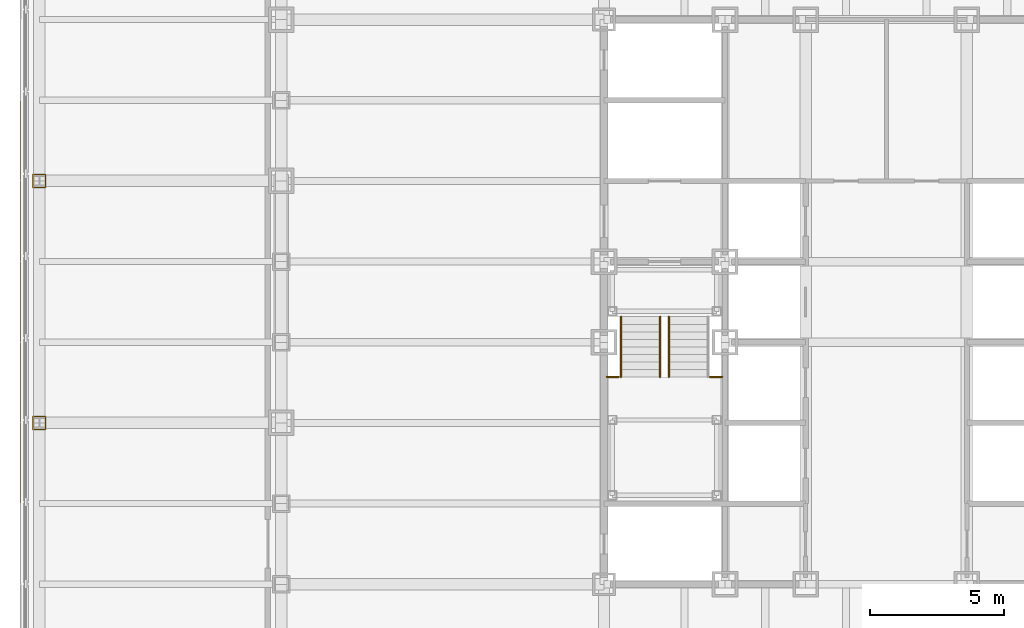
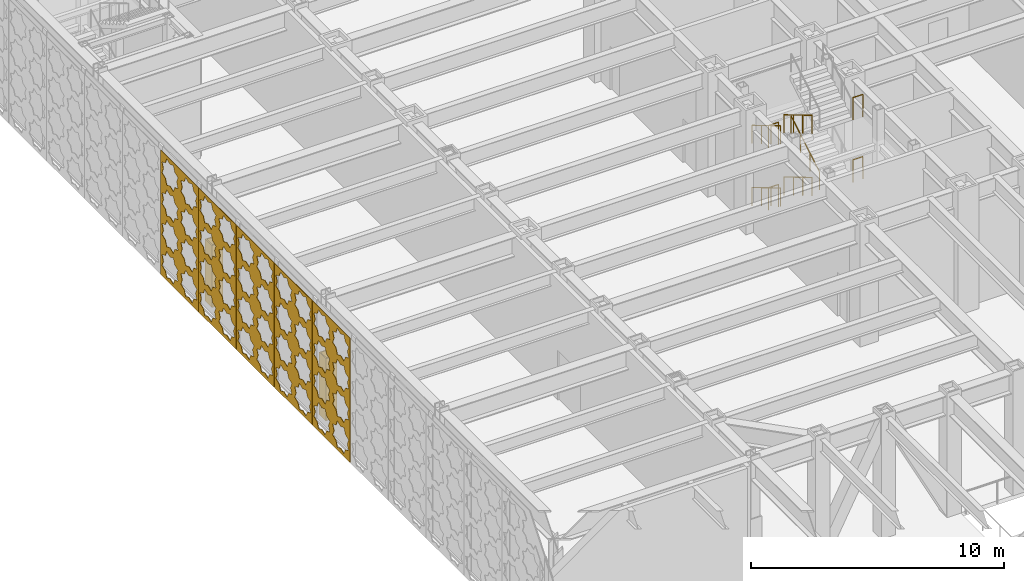
# One storey, part 26 of 32: 9 railings, 5 shading devices, 2 coverings.
"""IFC4 building model written with IfcOpenShell, lengths in metres."""

from ifc_helpers import new_model, si_unit, direction, frame, origin, origin_2d, place, context, subcontext, project, spatial, polyline, circle, outline, extrude, material, layer, layer_set, type_object, element, save


model = new_model("IFC4")

# Units and contexts
model_context = context("Model", 3, precision=1e-05, world=origin(), true_north=direction((0.0, 1.0)))
body_context = subcontext(model_context, "Body", "Model", "MODEL_VIEW")
ifc_project = project(units=[si_unit("LENGTHUNIT", "METRE"), si_unit("AREAUNIT", "SQUARE_METRE"), si_unit("VOLUMEUNIT", "CUBIC_METRE"), si_unit("PLANEANGLEUNIT", "RADIAN"), si_unit("MASSUNIT", "GRAM", prefix="KILO")], contexts=[model_context])

# Site, building, storey
site_placement = place(None, origin())
site = spatial("IfcSite", under=ifc_project, at=site_placement, CompositionType="ELEMENT")
building_placement = place(site_placement, origin())
building = spatial("IfcBuilding", under=site, at=building_placement, Name="Chuquiago Exchange Tower", CompositionType="ELEMENT")
storey_placement = place(building_placement, frame((0.0, 0.0, 13.5)))
storey = spatial("IfcBuildingStorey", under=building, at=storey_placement, Name="L02", CompositionType="ELEMENT", Elevation=13.5)

# Coverings
ifc_material_1 = material(Name="Pale metal sheet casing on rails", Category="aluminium")
ifc_layer_1 = layer(ifc_material_1, 0.050048828125)
ifc_layer_set_1 = layer_set([ifc_layer_1], Name="CS1 column casing 50")
covering_type = type_object("IfcCoveringType", Name="CS1 column casing 50", PredefinedType="CLADDING", material=ifc_layer_set_1)
covering_1_placement = place(storey_placement, origin())
element("IfcCovering", 1, at=covering_1_placement, inside=storey, type_object=covering_type, Name="Column casing L02", PredefinedType="CLADDING", context=body_context, shape_type="SweptSolid", body=[
    extrude(outline(polyline([(-9.255615234375, 17.73291015625), (-8.744384765625, 17.73291015625), (-8.744384765625, 18.26708984375), (-9.255615234375, 18.26708984375), (-9.255615234375, 17.73291015625)]), holes=[polyline([(-9.205810546875, 17.78271484375), (-9.205810546875, 18.21728515625), (-8.794189453125, 18.21728515625), (-8.794189453125, 17.78271484375), (-9.205810546875, 17.78271484375)])]), origin(), (0.0, 0.0, 1.0), 3.0),
])
covering_2_placement = place(storey_placement, origin())
element("IfcCovering", 2, at=covering_2_placement, inside=storey, type_object=covering_type, Name="Column casing L02", PredefinedType="CLADDING", context=body_context, shape_type="SweptSolid", body=[
    extrude(outline(polyline([(-9.255615234375, 26.73291015625), (-8.744384765625, 26.73291015625), (-8.744384765625, 27.26708984375), (-9.255615234375, 27.26708984375), (-9.255615234375, 26.73291015625)]), holes=[polyline([(-9.205810546875, 26.78271484375), (-9.205810546875, 27.21728515625), (-8.794189453125, 27.21728515625), (-8.794189453125, 26.78271484375), (-9.205810546875, 26.78271484375)])]), origin(), (0.0, 0.0, 1.0), 3.0),
])

# Railings
ifc_material_2 = material(Name="Pale metal guard with safety glass infill", Category="glass")
railing_type_1 = type_object("IfcRailingType", Name="GR1 guard 1100", PredefinedType="GUARDRAIL", material=ifc_material_2)
for number, where, name in (
    (3, (12.10009765625, 19.7099609375, 1.5), "Guard ST1 L02 landing 2"),
    (4, (15.945068359375, 19.7099609375, 1.5), "Guard ST1 L02 landing 2"),
    (5, (12.10009765625, 19.7099609375, 4.5), "Guard ST1 L02 landing 4"),
    (6, (15.945068359375, 19.7099609375, 4.5), "Guard ST1 L02 landing 4"),
):
    element("IfcRailing", number, at=place(storey_placement, frame(where)), inside=storey, type_object=railing_type_1, Name=name, PredefinedType="GUARDRAIL", context=body_context, shape_type="SweptSolid", body=[
        extrude(circle(Radius=0.02392578125, at=origin_2d()), frame((0.0, 0.0, 1.076171875), z_axis=(1.0, 0.0, 0.0), x_axis=(0.0, 1.0, 0.0)), (0.0, 0.0, 1.0), 0.454833984375),
        extrude(circle(Radius=0.02099609375, at=origin_2d()), origin(), (0.0, 0.0, 1.0), 1.052001953125),
        extrude(circle(Radius=0.02099609375, at=origin_2d()), frame((0.454833984375, 0.0, 0.0)), (0.0, 0.0, 1.0), 1.052001953125),
    ])
ifc_material_3 = material(Name="Pale metal handrail", Category="steel")
railing_type_2 = type_object("IfcRailingType", Name="HR1 handrail 900", PredefinedType="HANDRAIL", material=ifc_material_3)
for number, where, name in (
    (7, (12.635009765625, 21.949951171875, 0.166748046875), "Handrail ST1 L02 flight 1"),
    (8, (14.0849609375, 21.949951171875, 0.166748046875), "Handrail ST1 L02 flight 1"),
):
    element("IfcRailing", number, at=place(storey_placement, frame(where)), inside=storey, type_object=railing_type_2, Name=name, PredefinedType="HANDRAIL", context=body_context, shape_type="SweptSolid", body=[
        extrude(circle(Radius=0.02392578125, at=origin_2d()), frame((0.0, 0.0, 0.8759765625), z_axis=(0.0, -0.859305625298, 0.511462454469), x_axis=(1.0, 0.0, 0.0)), (0.0, 0.0, 1.0), 2.606689453125),
        extrude(circle(Radius=0.02099609375, at=origin_2d()), origin(), (0.0, 0.0, 1.0), 0.851806640625),
        extrude(circle(Radius=0.02099609375, at=origin_2d()), frame((0.0, -0.74658203125, 0.4443359375)), (0.0, 0.0, 1.0), 0.851806640625),
        extrude(circle(Radius=0.02099609375, at=origin_2d()), frame((0.0, -1.493408203125, 0.888916015625)), (0.0, 0.0, 1.0), 0.851806640625),
        extrude(circle(Radius=0.02099609375, at=origin_2d()), frame((0.0, -2.239990234375, 1.333251953125)), (0.0, 0.0, 1.0), 0.851806640625),
    ])
railing_placement = place(storey_placement, frame((14.4150390625, 19.7099609375, 1.666748046875)))
element("IfcRailing", 9, at=railing_placement, inside=storey, type_object=railing_type_2, Name="Handrail ST1 L02 flight 2", PredefinedType="HANDRAIL", context=body_context, shape_type="SweptSolid", body=[
    extrude(circle(Radius=0.02392578125, at=origin_2d()), frame((0.0, 0.0, 0.8759765625), z_axis=(0.0, 0.859305625298, 0.511462454469), x_axis=(-1.0, 0.0, 0.0)), (0.0, 0.0, 1.0), 2.606689453125),
    extrude(circle(Radius=0.02099609375, at=origin_2d()), origin(), (0.0, 0.0, 1.0), 0.851806640625),
    extrude(circle(Radius=0.02099609375, at=origin_2d()), frame((0.0, 0.74658203125, 0.4443359375)), (0.0, 0.0, 1.0), 0.851806640625),
    extrude(circle(Radius=0.02099609375, at=origin_2d()), frame((0.0, 1.493408203125, 0.888916015625)), (0.0, 0.0, 1.0), 0.851806640625),
    extrude(circle(Radius=0.02099609375, at=origin_2d()), frame((0.0, 2.239990234375, 1.333251953125)), (0.0, 0.0, 1.0), 0.851806640625),
])
for number, where, name in (
    (10, (12.635009765625, 21.949951171875, 3.166748046875), "Handrail ST1 L02 flight 3"),
    (11, (14.0849609375, 21.949951171875, 3.166748046875), "Handrail ST1 L02 flight 3"),
):
    element("IfcRailing", number, at=place(storey_placement, frame(where)), inside=storey, type_object=railing_type_2, Name=name, PredefinedType="HANDRAIL", context=body_context, shape_type="SweptSolid", body=[
        extrude(circle(Radius=0.02392578125, at=origin_2d()), frame((0.0, 0.0, 0.8759765625), z_axis=(0.0, -0.859305625298, 0.511462454469), x_axis=(1.0, 0.0, 0.0)), (0.0, 0.0, 1.0), 2.606689453125),
        extrude(circle(Radius=0.02099609375, at=origin_2d()), origin(), (0.0, 0.0, 1.0), 0.851806640625),
        extrude(circle(Radius=0.02099609375, at=origin_2d()), frame((0.0, -0.74658203125, 0.4443359375)), (0.0, 0.0, 1.0), 0.851806640625),
        extrude(circle(Radius=0.02099609375, at=origin_2d()), frame((0.0, -1.493408203125, 0.888916015625)), (0.0, 0.0, 1.0), 0.851806640625),
        extrude(circle(Radius=0.02099609375, at=origin_2d()), frame((0.0, -2.239990234375, 1.333251953125)), (0.0, 0.0, 1.0), 0.851806640625),
    ])

# Shading devices
ifc_material_4 = material(Name="Pale metal, perforated in an eight-point star pattern", Category="aluminium")
ifc_layer_2 = layer(ifc_material_4, 0.02001953125)
ifc_layer_set_2 = layer_set([ifc_layer_2], Name="SC1 mashrabiya screen 20")
shading_device_type = type_object("IfcShadingDeviceType", Name="SC1 mashrabiya screen 20", PredefinedType="SHUTTER", material=ifc_layer_set_2)
shading_device_1_placement = place(storey_placement, frame((-9.699951171875, 17.989990234375, -0.199951171875), z_axis=(0.0, 0.0, 1.0), x_axis=(0.0, -1.0, 0.0)))
element("IfcShadingDevice", 12, at=shading_device_1_placement, inside=storey, type_object=shading_device_type, Name="Mashrabiya screen L02 W 12", PredefinedType="SHUTTER", context=body_context, shape_type="SweptSolid", body=[
    extrude(outline(polyline([(0.0, 0.0), (2.97998046875, 0.0), (2.97998046875, 6.0), (0.0, 6.0), (0.0, 0.0)]), holes=[polyline([(1.26953125, 0.764892578125), (1.378173828125, 1.02734375), (1.115966796875, 1.135986328125), (1.00732421875, 1.398193359375), (0.7451171875, 1.28955078125), (0.482666015625, 1.398193359375), (0.3740234375, 1.135986328125), (0.11181640625, 1.02734375), (0.220458984375, 0.764892578125), (0.11181640625, 0.502685546875), (0.3740234375, 0.39404296875), (0.482666015625, 0.1318359375), (0.7451171875, 0.240234375), (1.00732421875, 0.1318359375), (1.115966796875, 0.39404296875), (1.378173828125, 0.502685546875), (1.26953125, 0.764892578125)]), polyline([(2.759521484375, 0.764892578125), (2.8681640625, 1.02734375), (2.60595703125, 1.135986328125), (2.497314453125, 1.398193359375), (2.235107421875, 1.28955078125), (1.97265625, 1.398193359375), (1.864013671875, 1.135986328125), (1.601806640625, 1.02734375), (1.71044921875, 0.764892578125), (1.601806640625, 0.502685546875), (1.864013671875, 0.39404296875), (1.97265625, 0.1318359375), (2.235107421875, 0.240234375), (2.497314453125, 0.1318359375), (2.60595703125, 0.39404296875), (2.8681640625, 0.502685546875), (2.759521484375, 0.764892578125)]), polyline([(1.26953125, 2.2548828125), (1.378173828125, 2.517333984375), (1.115966796875, 2.6259765625), (1.00732421875, 2.88818359375), (0.7451171875, 2.779541015625), (0.482666015625, 2.88818359375), (0.3740234375, 2.6259765625), (0.11181640625, 2.517333984375), (0.220458984375, 2.2548828125), (0.11181640625, 1.99267578125), (0.3740234375, 1.884033203125), (0.482666015625, 1.621826171875), (0.7451171875, 1.73046875), (1.00732421875, 1.621826171875), (1.115966796875, 1.884033203125), (1.378173828125, 1.99267578125), (1.26953125, 2.2548828125)]), polyline([(2.759521484375, 2.2548828125), (2.8681640625, 2.517333984375), (2.60595703125, 2.6259765625), (2.497314453125, 2.88818359375), (2.235107421875, 2.779541015625), (1.97265625, 2.88818359375), (1.864013671875, 2.6259765625), (1.601806640625, 2.517333984375), (1.71044921875, 2.2548828125), (1.601806640625, 1.99267578125), (1.864013671875, 1.884033203125), (1.97265625, 1.621826171875), (2.235107421875, 1.73046875), (2.497314453125, 1.621826171875), (2.60595703125, 1.884033203125), (2.8681640625, 1.99267578125), (2.759521484375, 2.2548828125)]), polyline([(1.26953125, 3.744873046875), (1.378173828125, 4.00732421875), (1.115966796875, 4.115966796875), (1.00732421875, 4.378173828125), (0.7451171875, 4.26953125), (0.482666015625, 4.378173828125), (0.3740234375, 4.115966796875), (0.11181640625, 4.00732421875), (0.220458984375, 3.744873046875), (0.11181640625, 3.482666015625), (0.3740234375, 3.3740234375), (0.482666015625, 3.11181640625), (0.7451171875, 3.220458984375), (1.00732421875, 3.11181640625), (1.115966796875, 3.3740234375), (1.378173828125, 3.482666015625), (1.26953125, 3.744873046875)]), polyline([(2.759521484375, 3.744873046875), (2.8681640625, 4.00732421875), (2.60595703125, 4.115966796875), (2.497314453125, 4.378173828125), (2.235107421875, 4.26953125), (1.97265625, 4.378173828125), (1.864013671875, 4.115966796875), (1.601806640625, 4.00732421875), (1.71044921875, 3.744873046875), (1.601806640625, 3.482666015625), (1.864013671875, 3.3740234375), (1.97265625, 3.11181640625), (2.235107421875, 3.220458984375), (2.497314453125, 3.11181640625), (2.60595703125, 3.3740234375), (2.8681640625, 3.482666015625), (2.759521484375, 3.744873046875)]), polyline([(1.26953125, 5.23486328125), (1.378173828125, 5.497314453125), (1.115966796875, 5.60595703125), (1.00732421875, 5.8681640625), (0.7451171875, 5.759521484375), (0.482666015625, 5.8681640625), (0.3740234375, 5.60595703125), (0.11181640625, 5.497314453125), (0.220458984375, 5.23486328125), (0.11181640625, 4.97265625), (0.3740234375, 4.864013671875), (0.482666015625, 4.601806640625), (0.7451171875, 4.71044921875), (1.00732421875, 4.601806640625), (1.115966796875, 4.864013671875), (1.378173828125, 4.97265625), (1.26953125, 5.23486328125)]), polyline([(2.759521484375, 5.23486328125), (2.8681640625, 5.497314453125), (2.60595703125, 5.60595703125), (2.497314453125, 5.8681640625), (2.235107421875, 5.759521484375), (1.97265625, 5.8681640625), (1.864013671875, 5.60595703125), (1.601806640625, 5.497314453125), (1.71044921875, 5.23486328125), (1.601806640625, 4.97265625), (1.864013671875, 4.864013671875), (1.97265625, 4.601806640625), (2.235107421875, 4.71044921875), (2.497314453125, 4.601806640625), (2.60595703125, 4.864013671875), (2.8681640625, 4.97265625), (2.759521484375, 5.23486328125)])]), frame((0.0, 0.0, 0.0), z_axis=(0.0, -1.0, 0.0), x_axis=(1.0, 0.0, 0.0)), (0.0, 0.0, 1.0), 0.02001953125),
])
shading_device_2_placement = place(storey_placement, frame((-9.699951171875, 20.989990234375, -0.199951171875), z_axis=(0.0, 0.0, 1.0), x_axis=(0.0, -1.0, 0.0)))
element("IfcShadingDevice", 13, at=shading_device_2_placement, inside=storey, type_object=shading_device_type, Name="Mashrabiya screen L02 W 13", PredefinedType="SHUTTER", context=body_context, shape_type="SweptSolid", body=[
    extrude(outline(polyline([(0.0, 0.0), (2.97998046875, 0.0), (2.97998046875, 6.0), (0.0, 6.0), (0.0, 0.0)]), holes=[polyline([(1.26953125, 0.764892578125), (1.378173828125, 1.02734375), (1.115966796875, 1.135986328125), (1.00732421875, 1.398193359375), (0.7451171875, 1.28955078125), (0.482666015625, 1.398193359375), (0.3740234375, 1.135986328125), (0.11181640625, 1.02734375), (0.220458984375, 0.764892578125), (0.11181640625, 0.502685546875), (0.3740234375, 0.39404296875), (0.482666015625, 0.1318359375), (0.7451171875, 0.240234375), (1.00732421875, 0.1318359375), (1.115966796875, 0.39404296875), (1.378173828125, 0.502685546875), (1.26953125, 0.764892578125)]), polyline([(2.759521484375, 0.764892578125), (2.8681640625, 1.02734375), (2.60595703125, 1.135986328125), (2.497314453125, 1.398193359375), (2.235107421875, 1.28955078125), (1.97265625, 1.398193359375), (1.864013671875, 1.135986328125), (1.601806640625, 1.02734375), (1.71044921875, 0.764892578125), (1.601806640625, 0.502685546875), (1.864013671875, 0.39404296875), (1.97265625, 0.1318359375), (2.235107421875, 0.240234375), (2.497314453125, 0.1318359375), (2.60595703125, 0.39404296875), (2.8681640625, 0.502685546875), (2.759521484375, 0.764892578125)]), polyline([(1.26953125, 2.2548828125), (1.378173828125, 2.517333984375), (1.115966796875, 2.6259765625), (1.00732421875, 2.88818359375), (0.7451171875, 2.779541015625), (0.482666015625, 2.88818359375), (0.3740234375, 2.6259765625), (0.11181640625, 2.517333984375), (0.220458984375, 2.2548828125), (0.11181640625, 1.99267578125), (0.3740234375, 1.884033203125), (0.482666015625, 1.621826171875), (0.7451171875, 1.73046875), (1.00732421875, 1.621826171875), (1.115966796875, 1.884033203125), (1.378173828125, 1.99267578125), (1.26953125, 2.2548828125)]), polyline([(2.759521484375, 2.2548828125), (2.8681640625, 2.517333984375), (2.60595703125, 2.6259765625), (2.497314453125, 2.88818359375), (2.235107421875, 2.779541015625), (1.97265625, 2.88818359375), (1.864013671875, 2.6259765625), (1.601806640625, 2.517333984375), (1.71044921875, 2.2548828125), (1.601806640625, 1.99267578125), (1.864013671875, 1.884033203125), (1.97265625, 1.621826171875), (2.235107421875, 1.73046875), (2.497314453125, 1.621826171875), (2.60595703125, 1.884033203125), (2.8681640625, 1.99267578125), (2.759521484375, 2.2548828125)]), polyline([(1.26953125, 3.744873046875), (1.378173828125, 4.00732421875), (1.115966796875, 4.115966796875), (1.00732421875, 4.378173828125), (0.7451171875, 4.26953125), (0.482666015625, 4.378173828125), (0.3740234375, 4.115966796875), (0.11181640625, 4.00732421875), (0.220458984375, 3.744873046875), (0.11181640625, 3.482666015625), (0.3740234375, 3.3740234375), (0.482666015625, 3.11181640625), (0.7451171875, 3.220458984375), (1.00732421875, 3.11181640625), (1.115966796875, 3.3740234375), (1.378173828125, 3.482666015625), (1.26953125, 3.744873046875)]), polyline([(2.759521484375, 3.744873046875), (2.8681640625, 4.00732421875), (2.60595703125, 4.115966796875), (2.497314453125, 4.378173828125), (2.235107421875, 4.26953125), (1.97265625, 4.378173828125), (1.864013671875, 4.115966796875), (1.601806640625, 4.00732421875), (1.71044921875, 3.744873046875), (1.601806640625, 3.482666015625), (1.864013671875, 3.3740234375), (1.97265625, 3.11181640625), (2.235107421875, 3.220458984375), (2.497314453125, 3.11181640625), (2.60595703125, 3.3740234375), (2.8681640625, 3.482666015625), (2.759521484375, 3.744873046875)]), polyline([(1.26953125, 5.23486328125), (1.378173828125, 5.497314453125), (1.115966796875, 5.60595703125), (1.00732421875, 5.8681640625), (0.7451171875, 5.759521484375), (0.482666015625, 5.8681640625), (0.3740234375, 5.60595703125), (0.11181640625, 5.497314453125), (0.220458984375, 5.23486328125), (0.11181640625, 4.97265625), (0.3740234375, 4.864013671875), (0.482666015625, 4.601806640625), (0.7451171875, 4.71044921875), (1.00732421875, 4.601806640625), (1.115966796875, 4.864013671875), (1.378173828125, 4.97265625), (1.26953125, 5.23486328125)]), polyline([(2.759521484375, 5.23486328125), (2.8681640625, 5.497314453125), (2.60595703125, 5.60595703125), (2.497314453125, 5.8681640625), (2.235107421875, 5.759521484375), (1.97265625, 5.8681640625), (1.864013671875, 5.60595703125), (1.601806640625, 5.497314453125), (1.71044921875, 5.23486328125), (1.601806640625, 4.97265625), (1.864013671875, 4.864013671875), (1.97265625, 4.601806640625), (2.235107421875, 4.71044921875), (2.497314453125, 4.601806640625), (2.60595703125, 4.864013671875), (2.8681640625, 4.97265625), (2.759521484375, 5.23486328125)])]), frame((0.0, 0.0, 0.0), z_axis=(0.0, -1.0, 0.0), x_axis=(1.0, 0.0, 0.0)), (0.0, 0.0, 1.0), 0.02001953125),
])
shading_device_3_placement = place(storey_placement, frame((-9.699951171875, 23.989990234375, -0.199951171875), z_axis=(0.0, 0.0, 1.0), x_axis=(0.0, -1.0, 0.0)))
element("IfcShadingDevice", 14, at=shading_device_3_placement, inside=storey, type_object=shading_device_type, Name="Mashrabiya screen L02 W 14", PredefinedType="SHUTTER", context=body_context, shape_type="SweptSolid", body=[
    extrude(outline(polyline([(0.0, 0.0), (2.97998046875, 0.0), (2.97998046875, 6.0), (0.0, 6.0), (0.0, 0.0)]), holes=[polyline([(1.26953125, 0.764892578125), (1.378173828125, 1.02734375), (1.115966796875, 1.135986328125), (1.00732421875, 1.398193359375), (0.7451171875, 1.28955078125), (0.482666015625, 1.398193359375), (0.3740234375, 1.135986328125), (0.11181640625, 1.02734375), (0.220458984375, 0.764892578125), (0.11181640625, 0.502685546875), (0.3740234375, 0.39404296875), (0.482666015625, 0.1318359375), (0.7451171875, 0.240234375), (1.00732421875, 0.1318359375), (1.115966796875, 0.39404296875), (1.378173828125, 0.502685546875), (1.26953125, 0.764892578125)]), polyline([(2.759521484375, 0.764892578125), (2.8681640625, 1.02734375), (2.60595703125, 1.135986328125), (2.497314453125, 1.398193359375), (2.235107421875, 1.28955078125), (1.97265625, 1.398193359375), (1.864013671875, 1.135986328125), (1.601806640625, 1.02734375), (1.71044921875, 0.764892578125), (1.601806640625, 0.502685546875), (1.864013671875, 0.39404296875), (1.97265625, 0.1318359375), (2.235107421875, 0.240234375), (2.497314453125, 0.1318359375), (2.60595703125, 0.39404296875), (2.8681640625, 0.502685546875), (2.759521484375, 0.764892578125)]), polyline([(1.26953125, 2.2548828125), (1.378173828125, 2.517333984375), (1.115966796875, 2.6259765625), (1.00732421875, 2.88818359375), (0.7451171875, 2.779541015625), (0.482666015625, 2.88818359375), (0.3740234375, 2.6259765625), (0.11181640625, 2.517333984375), (0.220458984375, 2.2548828125), (0.11181640625, 1.99267578125), (0.3740234375, 1.884033203125), (0.482666015625, 1.621826171875), (0.7451171875, 1.73046875), (1.00732421875, 1.621826171875), (1.115966796875, 1.884033203125), (1.378173828125, 1.99267578125), (1.26953125, 2.2548828125)]), polyline([(2.759521484375, 2.2548828125), (2.8681640625, 2.517333984375), (2.60595703125, 2.6259765625), (2.497314453125, 2.88818359375), (2.235107421875, 2.779541015625), (1.97265625, 2.88818359375), (1.864013671875, 2.6259765625), (1.601806640625, 2.517333984375), (1.71044921875, 2.2548828125), (1.601806640625, 1.99267578125), (1.864013671875, 1.884033203125), (1.97265625, 1.621826171875), (2.235107421875, 1.73046875), (2.497314453125, 1.621826171875), (2.60595703125, 1.884033203125), (2.8681640625, 1.99267578125), (2.759521484375, 2.2548828125)]), polyline([(1.26953125, 3.744873046875), (1.378173828125, 4.00732421875), (1.115966796875, 4.115966796875), (1.00732421875, 4.378173828125), (0.7451171875, 4.26953125), (0.482666015625, 4.378173828125), (0.3740234375, 4.115966796875), (0.11181640625, 4.00732421875), (0.220458984375, 3.744873046875), (0.11181640625, 3.482666015625), (0.3740234375, 3.3740234375), (0.482666015625, 3.11181640625), (0.7451171875, 3.220458984375), (1.00732421875, 3.11181640625), (1.115966796875, 3.3740234375), (1.378173828125, 3.482666015625), (1.26953125, 3.744873046875)]), polyline([(2.759521484375, 3.744873046875), (2.8681640625, 4.00732421875), (2.60595703125, 4.115966796875), (2.497314453125, 4.378173828125), (2.235107421875, 4.26953125), (1.97265625, 4.378173828125), (1.864013671875, 4.115966796875), (1.601806640625, 4.00732421875), (1.71044921875, 3.744873046875), (1.601806640625, 3.482666015625), (1.864013671875, 3.3740234375), (1.97265625, 3.11181640625), (2.235107421875, 3.220458984375), (2.497314453125, 3.11181640625), (2.60595703125, 3.3740234375), (2.8681640625, 3.482666015625), (2.759521484375, 3.744873046875)]), polyline([(1.26953125, 5.23486328125), (1.378173828125, 5.497314453125), (1.115966796875, 5.60595703125), (1.00732421875, 5.8681640625), (0.7451171875, 5.759521484375), (0.482666015625, 5.8681640625), (0.3740234375, 5.60595703125), (0.11181640625, 5.497314453125), (0.220458984375, 5.23486328125), (0.11181640625, 4.97265625), (0.3740234375, 4.864013671875), (0.482666015625, 4.601806640625), (0.7451171875, 4.71044921875), (1.00732421875, 4.601806640625), (1.115966796875, 4.864013671875), (1.378173828125, 4.97265625), (1.26953125, 5.23486328125)]), polyline([(2.759521484375, 5.23486328125), (2.8681640625, 5.497314453125), (2.60595703125, 5.60595703125), (2.497314453125, 5.8681640625), (2.235107421875, 5.759521484375), (1.97265625, 5.8681640625), (1.864013671875, 5.60595703125), (1.601806640625, 5.497314453125), (1.71044921875, 5.23486328125), (1.601806640625, 4.97265625), (1.864013671875, 4.864013671875), (1.97265625, 4.601806640625), (2.235107421875, 4.71044921875), (2.497314453125, 4.601806640625), (2.60595703125, 4.864013671875), (2.8681640625, 4.97265625), (2.759521484375, 5.23486328125)])]), frame((0.0, 0.0, 0.0), z_axis=(0.0, -1.0, 0.0), x_axis=(1.0, 0.0, 0.0)), (0.0, 0.0, 1.0), 0.02001953125),
])
shading_device_4_placement = place(storey_placement, frame((-9.699951171875, 26.989990234375, -0.199951171875), z_axis=(0.0, 0.0, 1.0), x_axis=(0.0, -1.0, 0.0)))
element("IfcShadingDevice", 15, at=shading_device_4_placement, inside=storey, type_object=shading_device_type, Name="Mashrabiya screen L02 W 15", PredefinedType="SHUTTER", context=body_context, shape_type="SweptSolid", body=[
    extrude(outline(polyline([(0.0, 0.0), (2.97998046875, 0.0), (2.97998046875, 6.0), (0.0, 6.0), (0.0, 0.0)]), holes=[polyline([(1.26953125, 0.764892578125), (1.378173828125, 1.02734375), (1.115966796875, 1.135986328125), (1.00732421875, 1.398193359375), (0.7451171875, 1.28955078125), (0.482666015625, 1.398193359375), (0.3740234375, 1.135986328125), (0.11181640625, 1.02734375), (0.220458984375, 0.764892578125), (0.11181640625, 0.502685546875), (0.3740234375, 0.39404296875), (0.482666015625, 0.1318359375), (0.7451171875, 0.240234375), (1.00732421875, 0.1318359375), (1.115966796875, 0.39404296875), (1.378173828125, 0.502685546875), (1.26953125, 0.764892578125)]), polyline([(2.759521484375, 0.764892578125), (2.8681640625, 1.02734375), (2.60595703125, 1.135986328125), (2.497314453125, 1.398193359375), (2.235107421875, 1.28955078125), (1.97265625, 1.398193359375), (1.864013671875, 1.135986328125), (1.601806640625, 1.02734375), (1.71044921875, 0.764892578125), (1.601806640625, 0.502685546875), (1.864013671875, 0.39404296875), (1.97265625, 0.1318359375), (2.235107421875, 0.240234375), (2.497314453125, 0.1318359375), (2.60595703125, 0.39404296875), (2.8681640625, 0.502685546875), (2.759521484375, 0.764892578125)]), polyline([(1.26953125, 2.2548828125), (1.378173828125, 2.517333984375), (1.115966796875, 2.6259765625), (1.00732421875, 2.88818359375), (0.7451171875, 2.779541015625), (0.482666015625, 2.88818359375), (0.3740234375, 2.6259765625), (0.11181640625, 2.517333984375), (0.220458984375, 2.2548828125), (0.11181640625, 1.99267578125), (0.3740234375, 1.884033203125), (0.482666015625, 1.621826171875), (0.7451171875, 1.73046875), (1.00732421875, 1.621826171875), (1.115966796875, 1.884033203125), (1.378173828125, 1.99267578125), (1.26953125, 2.2548828125)]), polyline([(2.759521484375, 2.2548828125), (2.8681640625, 2.517333984375), (2.60595703125, 2.6259765625), (2.497314453125, 2.88818359375), (2.235107421875, 2.779541015625), (1.97265625, 2.88818359375), (1.864013671875, 2.6259765625), (1.601806640625, 2.517333984375), (1.71044921875, 2.2548828125), (1.601806640625, 1.99267578125), (1.864013671875, 1.884033203125), (1.97265625, 1.621826171875), (2.235107421875, 1.73046875), (2.497314453125, 1.621826171875), (2.60595703125, 1.884033203125), (2.8681640625, 1.99267578125), (2.759521484375, 2.2548828125)]), polyline([(1.26953125, 3.744873046875), (1.378173828125, 4.00732421875), (1.115966796875, 4.115966796875), (1.00732421875, 4.378173828125), (0.7451171875, 4.26953125), (0.482666015625, 4.378173828125), (0.3740234375, 4.115966796875), (0.11181640625, 4.00732421875), (0.220458984375, 3.744873046875), (0.11181640625, 3.482666015625), (0.3740234375, 3.3740234375), (0.482666015625, 3.11181640625), (0.7451171875, 3.220458984375), (1.00732421875, 3.11181640625), (1.115966796875, 3.3740234375), (1.378173828125, 3.482666015625), (1.26953125, 3.744873046875)]), polyline([(2.759521484375, 3.744873046875), (2.8681640625, 4.00732421875), (2.60595703125, 4.115966796875), (2.497314453125, 4.378173828125), (2.235107421875, 4.26953125), (1.97265625, 4.378173828125), (1.864013671875, 4.115966796875), (1.601806640625, 4.00732421875), (1.71044921875, 3.744873046875), (1.601806640625, 3.482666015625), (1.864013671875, 3.3740234375), (1.97265625, 3.11181640625), (2.235107421875, 3.220458984375), (2.497314453125, 3.11181640625), (2.60595703125, 3.3740234375), (2.8681640625, 3.482666015625), (2.759521484375, 3.744873046875)]), polyline([(1.26953125, 5.23486328125), (1.378173828125, 5.497314453125), (1.115966796875, 5.60595703125), (1.00732421875, 5.8681640625), (0.7451171875, 5.759521484375), (0.482666015625, 5.8681640625), (0.3740234375, 5.60595703125), (0.11181640625, 5.497314453125), (0.220458984375, 5.23486328125), (0.11181640625, 4.97265625), (0.3740234375, 4.864013671875), (0.482666015625, 4.601806640625), (0.7451171875, 4.71044921875), (1.00732421875, 4.601806640625), (1.115966796875, 4.864013671875), (1.378173828125, 4.97265625), (1.26953125, 5.23486328125)]), polyline([(2.759521484375, 5.23486328125), (2.8681640625, 5.497314453125), (2.60595703125, 5.60595703125), (2.497314453125, 5.8681640625), (2.235107421875, 5.759521484375), (1.97265625, 5.8681640625), (1.864013671875, 5.60595703125), (1.601806640625, 5.497314453125), (1.71044921875, 5.23486328125), (1.601806640625, 4.97265625), (1.864013671875, 4.864013671875), (1.97265625, 4.601806640625), (2.235107421875, 4.71044921875), (2.497314453125, 4.601806640625), (2.60595703125, 4.864013671875), (2.8681640625, 4.97265625), (2.759521484375, 5.23486328125)])]), frame((0.0, 0.0, 0.0), z_axis=(0.0, -1.0, 0.0), x_axis=(1.0, 0.0, 0.0)), (0.0, 0.0, 1.0), 0.02001953125),
])
shading_device_5_placement = place(storey_placement, frame((-9.699951171875, 29.989990234375, -0.199951171875), z_axis=(0.0, 0.0, 1.0), x_axis=(0.0, -1.0, 0.0)))
element("IfcShadingDevice", 16, at=shading_device_5_placement, inside=storey, type_object=shading_device_type, Name="Mashrabiya screen L02 W 16", PredefinedType="SHUTTER", context=body_context, shape_type="SweptSolid", body=[
    extrude(outline(polyline([(0.0, 0.0), (2.97998046875, 0.0), (2.97998046875, 6.0), (0.0, 6.0), (0.0, 0.0)]), holes=[polyline([(1.26953125, 0.764892578125), (1.378173828125, 1.02734375), (1.115966796875, 1.135986328125), (1.00732421875, 1.398193359375), (0.7451171875, 1.28955078125), (0.482666015625, 1.398193359375), (0.3740234375, 1.135986328125), (0.11181640625, 1.02734375), (0.220458984375, 0.764892578125), (0.11181640625, 0.502685546875), (0.3740234375, 0.39404296875), (0.482666015625, 0.1318359375), (0.7451171875, 0.240234375), (1.00732421875, 0.1318359375), (1.115966796875, 0.39404296875), (1.378173828125, 0.502685546875), (1.26953125, 0.764892578125)]), polyline([(2.759521484375, 0.764892578125), (2.8681640625, 1.02734375), (2.60595703125, 1.135986328125), (2.497314453125, 1.398193359375), (2.235107421875, 1.28955078125), (1.97265625, 1.398193359375), (1.864013671875, 1.135986328125), (1.601806640625, 1.02734375), (1.71044921875, 0.764892578125), (1.601806640625, 0.502685546875), (1.864013671875, 0.39404296875), (1.97265625, 0.1318359375), (2.235107421875, 0.240234375), (2.497314453125, 0.1318359375), (2.60595703125, 0.39404296875), (2.8681640625, 0.502685546875), (2.759521484375, 0.764892578125)]), polyline([(1.26953125, 2.2548828125), (1.378173828125, 2.517333984375), (1.115966796875, 2.6259765625), (1.00732421875, 2.88818359375), (0.7451171875, 2.779541015625), (0.482666015625, 2.88818359375), (0.3740234375, 2.6259765625), (0.11181640625, 2.517333984375), (0.220458984375, 2.2548828125), (0.11181640625, 1.99267578125), (0.3740234375, 1.884033203125), (0.482666015625, 1.621826171875), (0.7451171875, 1.73046875), (1.00732421875, 1.621826171875), (1.115966796875, 1.884033203125), (1.378173828125, 1.99267578125), (1.26953125, 2.2548828125)]), polyline([(2.759521484375, 2.2548828125), (2.8681640625, 2.517333984375), (2.60595703125, 2.6259765625), (2.497314453125, 2.88818359375), (2.235107421875, 2.779541015625), (1.97265625, 2.88818359375), (1.864013671875, 2.6259765625), (1.601806640625, 2.517333984375), (1.71044921875, 2.2548828125), (1.601806640625, 1.99267578125), (1.864013671875, 1.884033203125), (1.97265625, 1.621826171875), (2.235107421875, 1.73046875), (2.497314453125, 1.621826171875), (2.60595703125, 1.884033203125), (2.8681640625, 1.99267578125), (2.759521484375, 2.2548828125)]), polyline([(1.26953125, 3.744873046875), (1.378173828125, 4.00732421875), (1.115966796875, 4.115966796875), (1.00732421875, 4.378173828125), (0.7451171875, 4.26953125), (0.482666015625, 4.378173828125), (0.3740234375, 4.115966796875), (0.11181640625, 4.00732421875), (0.220458984375, 3.744873046875), (0.11181640625, 3.482666015625), (0.3740234375, 3.3740234375), (0.482666015625, 3.11181640625), (0.7451171875, 3.220458984375), (1.00732421875, 3.11181640625), (1.115966796875, 3.3740234375), (1.378173828125, 3.482666015625), (1.26953125, 3.744873046875)]), polyline([(2.759521484375, 3.744873046875), (2.8681640625, 4.00732421875), (2.60595703125, 4.115966796875), (2.497314453125, 4.378173828125), (2.235107421875, 4.26953125), (1.97265625, 4.378173828125), (1.864013671875, 4.115966796875), (1.601806640625, 4.00732421875), (1.71044921875, 3.744873046875), (1.601806640625, 3.482666015625), (1.864013671875, 3.3740234375), (1.97265625, 3.11181640625), (2.235107421875, 3.220458984375), (2.497314453125, 3.11181640625), (2.60595703125, 3.3740234375), (2.8681640625, 3.482666015625), (2.759521484375, 3.744873046875)]), polyline([(1.26953125, 5.23486328125), (1.378173828125, 5.497314453125), (1.115966796875, 5.60595703125), (1.00732421875, 5.8681640625), (0.7451171875, 5.759521484375), (0.482666015625, 5.8681640625), (0.3740234375, 5.60595703125), (0.11181640625, 5.497314453125), (0.220458984375, 5.23486328125), (0.11181640625, 4.97265625), (0.3740234375, 4.864013671875), (0.482666015625, 4.601806640625), (0.7451171875, 4.71044921875), (1.00732421875, 4.601806640625), (1.115966796875, 4.864013671875), (1.378173828125, 4.97265625), (1.26953125, 5.23486328125)]), polyline([(2.759521484375, 5.23486328125), (2.8681640625, 5.497314453125), (2.60595703125, 5.60595703125), (2.497314453125, 5.8681640625), (2.235107421875, 5.759521484375), (1.97265625, 5.8681640625), (1.864013671875, 5.60595703125), (1.601806640625, 5.497314453125), (1.71044921875, 5.23486328125), (1.601806640625, 4.97265625), (1.864013671875, 4.864013671875), (1.97265625, 4.601806640625), (2.235107421875, 4.71044921875), (2.497314453125, 4.601806640625), (2.60595703125, 4.864013671875), (2.8681640625, 4.97265625), (2.759521484375, 5.23486328125)])]), frame((0.0, 0.0, 0.0), z_axis=(0.0, -1.0, 0.0), x_axis=(1.0, 0.0, 0.0)), (0.0, 0.0, 1.0), 0.02001953125),
])

save(model, "model.ifc")
